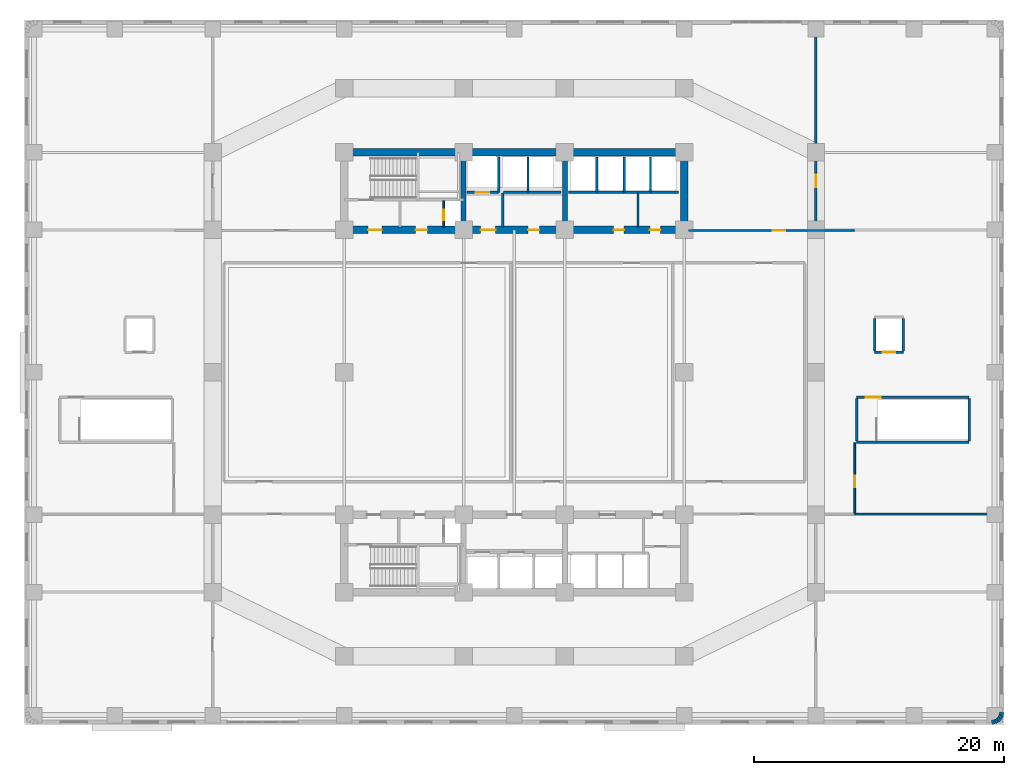
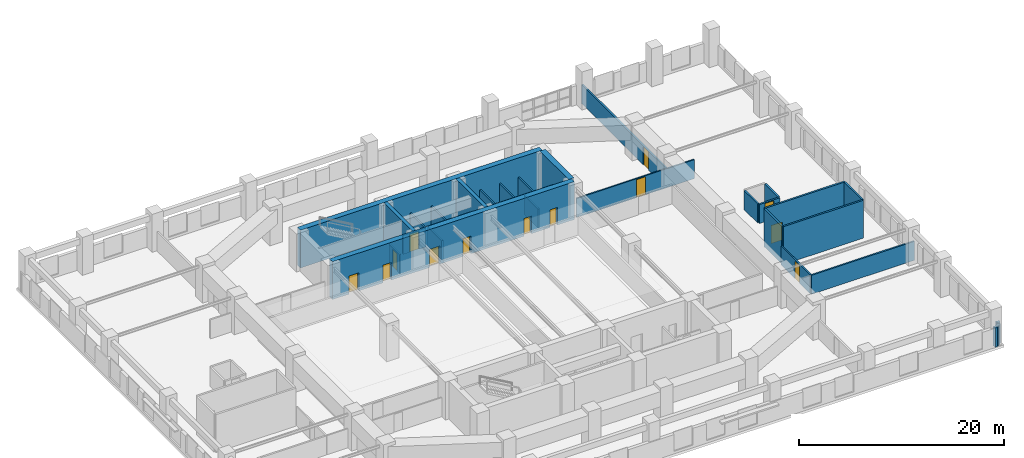
# One storey, part 9 of 13: 32 walls, 13 doors, 13 openings.
"""IFC4 building model written with IfcOpenShell, lengths in metres."""

from ifc_helpers import new_model, si_unit, direction, frame, frame_2d, origin, place, context, subcontext, project, spatial, rectangle, extrude, material, layer, layer_set, type_object, element, fill, save


model = new_model("IFC4")

# Units and contexts
model_context = context("Model", 3, precision=1e-05, world=origin(), true_north=direction((0.0, 1.0)))
body_context = subcontext(model_context, "Body", "Model", "MODEL_VIEW")
ifc_project = project(units=[si_unit("LENGTHUNIT", "METRE"), si_unit("AREAUNIT", "SQUARE_METRE"), si_unit("VOLUMEUNIT", "CUBIC_METRE"), si_unit("PLANEANGLEUNIT", "RADIAN"), si_unit("MASSUNIT", "GRAM", prefix="KILO")], contexts=[model_context])

# Site, building, storey
site_placement = place(None, origin())
site = spatial("IfcSite", under=ifc_project, at=site_placement, CompositionType="ELEMENT")
building_placement = place(site_placement, origin())
building = spatial("IfcBuilding", under=site, at=building_placement, Name="Svetorya Sky Lyceum", CompositionType="ELEMENT")
storey_placement = place(building_placement, frame((0.0, 0.0, 20.10009765625)))
storey = spatial("IfcBuildingStorey", under=building, at=storey_placement, Name="L04", CompositionType="ELEMENT", Elevation=20.10009765625)

# Walls
ifc_material_1 = material(Name="Concrete C40/50", Category="concrete")
ifc_layer_1 = layer(ifc_material_1, 0.39990234375)
ifc_layer_set_1 = layer_set([ifc_layer_1], Name="Concrete C40/50")
wall_type_1 = type_object("IfcWallType", Name="WL-CORE-400", PredefinedType="SHEAR", material=ifc_layer_set_1)
for number, where, z_axis, x_axis, name in (
    (1, (35.14990234375, 39.89990234375, 0.0), (0.0, 0.0, 1.0), (0.0, 1.0, 0.0), "L04 NC Internal Shear Web WEB1"),
    (2, (43.25, 39.89990234375, 0.0), (0.0, 0.0, 1.0), (0.0, 1.0, 0.0), "L04 NC Internal Shear Web WEB2"),
):
    element("IfcWall", number, at=place(storey_placement, frame(where, z_axis=z_axis, x_axis=x_axis)), inside=storey, type_object=wall_type_1, Name=name, PredefinedType="SHEAR", context=body_context, shape_type="SweptSolid", body=[
        extrude(rectangle(XDim=5.60009765625, YDim=0.39990234375, at=frame_2d((2.800048828125, 0.0))), origin(), (0.0, 0.0, 1.0), 4.5),
    ])
ifc_material_2 = material(Name="Concrete C60/75", Category="concrete")
ifc_layer_2 = layer(ifc_material_2, 0.60009765625)
ifc_layer_set_2 = layer_set([ifc_layer_2], Name="Concrete C60/75")
wall_type_2 = type_object("IfcWallType", Name="WL-CORE-600", PredefinedType="SHEAR", material=ifc_layer_set_2)
wall_1_placement = place(storey_placement, frame((25.60009765625, 45.800048828125, 0.0), z_axis=(0.0, 0.0, 1.0), x_axis=(1.0, 0.0, 0.0)))
element("IfcWall", 3, at=wall_1_placement, inside=storey, type_object=wall_type_2, Name="L04 NC Outer Core Shear Wall", PredefinedType="SHEAR", context=body_context, shape_type="SweptSolid", body=[
    extrude(rectangle(XDim=27.199951171875, YDim=0.60009765625, at=frame_2d((13.60009765625, 0.0))), origin(), (0.0, 0.0, 1.0), 4.5),
])
wall_2_placement = place(storey_placement, frame((52.800048828125, 39.89990234375, 0.0), z_axis=(0.0, 0.0, 1.0), x_axis=(0.0, 1.0, 0.0)))
element("IfcWall", 4, at=wall_2_placement, inside=storey, type_object=wall_type_2, Name="L04 NC East Core Shear Wall", PredefinedType="SHEAR", context=body_context, shape_type="SweptSolid", body=[
    extrude(rectangle(XDim=5.60009765625, YDim=0.60009765625, at=frame_2d((2.800048828125, 0.0))), origin(), (0.0, 0.0, 1.0), 4.5),
])

# Wall, openings, doors
wall_3_placement = place(storey_placement, frame((52.800048828125, 39.60009765625, 0.0), z_axis=(0.0, 0.0, 1.0), x_axis=(-1.0, 0.0, 0.0)))
wall_3 = element("IfcWall", 5, at=wall_3_placement, inside=storey, type_object=wall_type_2, Name="L04 NC Inner Core Shear Wall", PredefinedType="SHEAR", context=body_context, shape_type="SweptSolid", body=[
    extrude(rectangle(XDim=27.199951171875, YDim=0.60009765625, at=frame_2d((13.60009765625, 0.0))), origin(), (0.0, 0.0, 1.0), 4.5),
])
opening_1_placement = place(wall_3_placement, frame((24.199951171875, 0.0, 0.0)))
opening_1 = element("IfcOpeningElement", 6, at=opening_1_placement, cuts=wall_3, Name="Opening D-ST1", PredefinedType="OPENING", context=body_context, shape_type="SweptSolid", body=[
    extrude(rectangle(XDim=1.10009765625, YDim=2.14990234375, at=frame_2d((0.550048828125, 1.074951171875))), frame((0.0, 0.31005859375, 0.0), z_axis=(0.0, -1.0, 0.0), x_axis=(1.0, 0.0, 0.0)), (0.0, 0.0, 1.0), 0.6201171875),
])
opening_2_placement = place(wall_3_placement, frame((20.550048828125, 0.0, 0.0)))
opening_2 = element("IfcOpeningElement", 7, at=opening_2_placement, cuts=wall_3, Name="Opening D-CAC1", PredefinedType="OPENING", context=body_context, shape_type="SweptSolid", body=[
    extrude(rectangle(XDim=0.949951171875, YDim=2.10009765625, at=frame_2d((0.47509765625, 1.050048828125))), frame((0.0, 0.31005859375, 0.0), z_axis=(0.0, -1.0, 0.0), x_axis=(1.0, 0.0, 0.0)), (0.0, 0.0, 1.0), 0.6201171875),
])
opening_3_placement = place(wall_3_placement, frame((15.10009765625, 0.0, 0.0)))
opening_3 = element("IfcOpeningElement", 8, at=opening_3_placement, cuts=wall_3, Name="Opening D-FL1", PredefinedType="OPENING", context=body_context, shape_type="SweptSolid", body=[
    extrude(rectangle(XDim=1.199951171875, YDim=2.14990234375, at=frame_2d((0.60009765625, 1.074951171875))), frame((0.0, 0.31005859375, 0.0), z_axis=(0.0, -1.0, 0.0), x_axis=(1.0, 0.0, 0.0)), (0.0, 0.0, 1.0), 0.6201171875),
])
opening_4_placement = place(wall_3_placement, frame((11.60009765625, 0.0, 0.0)))
opening_4 = element("IfcOpeningElement", 9, at=opening_4_placement, cuts=wall_3, Name="Opening D-RM1", PredefinedType="OPENING", context=body_context, shape_type="SweptSolid", body=[
    extrude(rectangle(XDim=0.89990234375, YDim=2.10009765625, at=frame_2d((0.449951171875, 1.050048828125))), frame((0.0, 0.31005859375, 0.0), z_axis=(0.0, -1.0, 0.0), x_axis=(1.0, 0.0, 0.0)), (0.0, 0.0, 1.0), 0.6201171875),
])
opening_5_placement = place(wall_3_placement, frame((4.800048828125, 0.0, 0.0)))
opening_5 = element("IfcOpeningElement", 10, at=opening_5_placement, cuts=wall_3, Name="Opening D-CWC1", PredefinedType="OPENING", context=body_context, shape_type="SweptSolid", body=[
    extrude(rectangle(XDim=0.85009765625, YDim=2.10009765625, at=frame_2d((0.425048828125, 1.050048828125))), frame((0.0, 0.31005859375, 0.0), z_axis=(0.0, -1.0, 0.0), x_axis=(1.0, 0.0, 0.0)), (0.0, 0.0, 1.0), 0.6201171875),
])
opening_6_placement = place(wall_3_placement, frame((1.89990234375, 0.0, 0.0)))
opening_6 = element("IfcOpeningElement", 11, at=opening_6_placement, cuts=wall_3, Name="Opening D-CWC1", PredefinedType="OPENING", context=body_context, shape_type="SweptSolid", body=[
    extrude(rectangle(XDim=0.85009765625, YDim=2.10009765625, at=frame_2d((0.425048828125, 1.050048828125))), frame((0.0, 0.31005859375, 0.0), z_axis=(0.0, -1.0, 0.0), x_axis=(1.0, 0.0, 0.0)), (0.0, 0.0, 1.0), 0.6201171875),
])
ifc_material_3 = material(Name="Fire-rated galvanized steel core accessible WC door", Category="steel")
door_type_1 = type_object("IfcDoorType", Name="DR-CACC-950", OperationType="SINGLE_SWING_LEFT", PredefinedType="DOOR", material=ifc_material_3)
door_1_placement = place(opening_2_placement, origin())
door_1 = element("IfcDoor", 12, at=door_1_placement, inside=storey, type_object=door_type_1, Name="L04 North Core Accessible WC Door", OperationType="SINGLE_SWING_RIGHT", OverallHeight=2.10009765625, OverallWidth=0.949951171875, PredefinedType="DOOR", context=body_context, shape_type="SweptSolid", body=[
    extrude(rectangle(XDim=0.949951171875, YDim=2.10009765625, at=frame_2d((0.47509765625, 1.050048828125))), frame((0.0, 0.02490234375, 0.0), z_axis=(0.0, -1.0, 0.0), x_axis=(1.0, 0.0, 0.0)), (0.0, 0.0, 1.0), 0.050048828125),
])
fill(opening_2, door_1)
ifc_material_4 = material(Name="Fire-rated galvanized steel core service closet door", Category="steel")
door_type_2 = type_object("IfcDoorType", Name="DR-CWET-850", OperationType="SINGLE_SWING_LEFT", PredefinedType="DOOR", material=ifc_material_4)
door_2_placement = place(opening_5_placement, origin())
door_2 = element("IfcDoor", 13, at=door_2_placement, inside=storey, type_object=door_type_2, Name="L04 North Pantry Door", OperationType="SINGLE_SWING_LEFT", OverallHeight=2.10009765625, OverallWidth=0.85009765625, PredefinedType="DOOR", context=body_context, shape_type="SweptSolid", body=[
    extrude(rectangle(XDim=0.85009765625, YDim=2.10009765625, at=frame_2d((0.425048828125, 1.050048828125))), frame((0.0, 0.02490234375, 0.0), z_axis=(0.0, -1.0, 0.0), x_axis=(1.0, 0.0, 0.0)), (0.0, 0.0, 1.0), 0.050048828125),
])
fill(opening_5, door_2)
door_3_placement = place(opening_6_placement, origin())
door_3 = element("IfcDoor", 14, at=door_3_placement, inside=storey, type_object=door_type_2, Name="L04 North Laundry Door", OperationType="SINGLE_SWING_RIGHT", OverallHeight=2.10009765625, OverallWidth=0.85009765625, PredefinedType="DOOR", context=body_context, shape_type="SweptSolid", body=[
    extrude(rectangle(XDim=0.85009765625, YDim=2.10009765625, at=frame_2d((0.425048828125, 1.050048828125))), frame((0.0, 0.02490234375, 0.0), z_axis=(0.0, -1.0, 0.0), x_axis=(1.0, 0.0, 0.0)), (0.0, 0.0, 1.0), 0.050048828125),
])
fill(opening_6, door_3)
ifc_material_5 = material(Name="Powder-coated insulated galvanized stair fire door")
door_type_3 = type_object("IfcDoorType", Name="DR-FIRE-1100", OperationType="SINGLE_SWING_LEFT", PredefinedType="DOOR", material=ifc_material_5)
door_4_placement = place(opening_1_placement, origin())
door_4 = element("IfcDoor", 15, at=door_4_placement, inside=storey, type_object=door_type_3, Name="L04 North Stair Airlock Door", OperationType="SINGLE_SWING_LEFT", OverallHeight=2.14990234375, OverallWidth=1.10009765625, PredefinedType="DOOR", context=body_context, shape_type="SweptSolid", body=[
    extrude(rectangle(XDim=1.10009765625, YDim=2.14990234375, at=frame_2d((0.550048828125, 1.074951171875))), frame((0.0, 0.02490234375, 0.0), z_axis=(0.0, -1.0, 0.0), x_axis=(1.0, 0.0, 0.0)), (0.0, 0.0, 1.0), 0.050048828125),
])
fill(opening_1, door_4)
ifc_material_6 = material(Name="Powder-coated insulated galvanized fire door")
door_type_4 = type_object("IfcDoorType", Name="DR-FIRE-1200", OperationType="SINGLE_SWING_LEFT", PredefinedType="DOOR", material=ifc_material_6)
door_5_placement = place(opening_3_placement, origin())
door_5 = element("IfcDoor", 16, at=door_5_placement, inside=storey, type_object=door_type_4, Name="L04 North Firefighting Lift Lobby Door", OperationType="SINGLE_SWING_RIGHT", OverallHeight=2.14990234375, OverallWidth=1.199951171875, PredefinedType="DOOR", context=body_context, shape_type="SweptSolid", body=[
    extrude(rectangle(XDim=1.199951171875, YDim=2.14990234375, at=frame_2d((0.60009765625, 1.074951171875))), frame((0.0, 0.02490234375, 0.0), z_axis=(0.0, -1.0, 0.0), x_axis=(1.0, 0.0, 0.0)), (0.0, 0.0, 1.0), 0.050048828125),
])
fill(opening_3, door_5)
ifc_material_7 = material(Name="Lacquered birch veneer internal door")
door_type_5 = type_object("IfcDoorType", Name="DR-INT-900", OperationType="SINGLE_SWING_LEFT", PredefinedType="DOOR", material=ifc_material_7)
door_6_placement = place(opening_4_placement, origin())
door_6 = element("IfcDoor", 17, at=door_6_placement, inside=storey, type_object=door_type_5, Name="L04 North Laundry Door", OperationType="SINGLE_SWING_RIGHT", OverallHeight=2.10009765625, OverallWidth=0.89990234375, PredefinedType="DOOR", context=body_context, shape_type="SweptSolid", body=[
    extrude(rectangle(XDim=0.89990234375, YDim=2.10009765625, at=frame_2d((0.449951171875, 1.050048828125))), frame((0.0, 0.02490234375, 0.0), z_axis=(0.0, -1.0, 0.0), x_axis=(1.0, 0.0, 0.0)), (0.0, 0.0, 1.0), 0.050048828125),
])
fill(opening_4, door_6)

# Walls
ifc_material_8 = material(Name="Putilovo limestone rainscreen on autoclaved cellular masonry", Category="masonry")
ifc_layer_3 = layer(ifc_material_8, 0.360107421875)
ifc_layer_set_3 = layer_set([ifc_layer_3], Name="Putilovo limestone rainscreen on autoclaved cellular masonry")
wall_type_3 = type_object("IfcWallType", Name="WL-EXT-360", PredefinedType="SOLIDWALL", material=ifc_layer_set_3)
wall_4_placement = place(storey_placement, frame((77.419921875, 0.179931640625, 0.0), z_axis=(0.0, 0.0, 1.0), x_axis=(0.987604361038, 0.156963773077, 0.0)))
element("IfcWall", 18, at=wall_4_placement, inside=storey, type_object=wall_type_3, Name="L04 Limestone Exterior Wall 7M", PredefinedType="SOLIDWALL", context=body_context, shape_type="SweptSolid", body=[
    extrude(rectangle(XDim=0.25048828125, YDim=0.360107421875, at=frame_2d((0.125244140625, 0.0))), origin(), (0.0, 0.0, 1.0), 2.2998046875),
])
for number, where, z_axis, x_axis, name in (
    (19, (77.667236328125, 0.21923828125, 0.0), (0.0, 0.0, 1.0), (0.891084182005, 0.453838055457, 0.0), "L04 Limestone Exterior Wall 8M"),
    (20, (77.89013671875, 0.332763671875, 0.0), (0.0, 0.0, 1.0), (0.707106781187, 0.707106781187, 0.0), "L04 Limestone Exterior Wall 9M"),
):
    element("IfcWall", number, at=place(storey_placement, frame(where, z_axis=z_axis, x_axis=x_axis)), inside=storey, type_object=wall_type_3, Name=name, PredefinedType="SOLIDWALL", context=body_context, shape_type="SweptSolid", body=[
        extrude(rectangle(XDim=0.250244140625, YDim=0.360107421875, at=frame_2d((0.125, 0.0))), origin(), (0.0, 0.0, 1.0), 2.2998046875),
    ])
wall_5_placement = place(storey_placement, frame((78.067138671875, 0.509765625, 0.0), z_axis=(0.0, 0.0, 1.0), x_axis=(0.454217786225, 0.89089067942, 0.0)))
element("IfcWall", 21, at=wall_5_placement, inside=storey, type_object=wall_type_3, Name="L04 Limestone Exterior Wall 10M", PredefinedType="SOLIDWALL", context=body_context, shape_type="SweptSolid", body=[
    extrude(rectangle(XDim=0.25048828125, YDim=0.360107421875, at=frame_2d((0.125244140625, 0.0))), origin(), (0.0, 0.0, 1.0), 2.2998046875),
])
wall_6_placement = place(storey_placement, frame((78.180908203125, 0.73291015625, 0.0), z_axis=(0.0, 0.0, 1.0), x_axis=(0.156163049852, 0.987731290312, 0.0)))
element("IfcWall", 22, at=wall_6_placement, inside=storey, type_object=wall_type_3, Name="L04 Limestone Exterior Wall 11M", PredefinedType="SOLIDWALL", context=body_context, shape_type="SweptSolid", body=[
    extrude(rectangle(XDim=0.250244140625, YDim=0.360107421875, at=frame_2d((0.125, 0.0))), origin(), (0.0, 0.0, 1.0), 2.2998046875),
])

# Wall, opening, door
ifc_material_9 = material(Name="Autoclaved cellular masonry blockwork with acoustic render", Category="masonry")
ifc_layer_4 = layer(ifc_material_9, 0.14990234375)
ifc_layer_set_4 = layer_set([ifc_layer_4], Name="Autoclaved cellular masonry blockwork with acoustic render")
wall_type_4 = type_object("IfcWallType", Name="WL-PART-150", PredefinedType="PARTITIONING", material=ifc_layer_set_4)
wall_7_placement = place(storey_placement, frame((33.550048828125, 39.820068359375, 0.0), z_axis=(0.0, 0.0, 1.0), x_axis=(0.0, 1.0, 0.0)))
wall_7 = element("IfcWall", 23, at=wall_7_placement, inside=storey, type_object=wall_type_4, Name="L04 Interior Partition NC-RSRW", PredefinedType="PARTITIONING", context=body_context, shape_type="SweptSolid", body=[
    extrude(rectangle(XDim=2.1298828125, YDim=0.14990234375, at=frame_2d((1.06494140625, 0.0))), origin(), (0.0, 0.0, 1.0), 2.260009765625),
])
opening_7_placement = place(wall_7_placement, frame((0.550048828125, 0.0, 0.0)))
opening_7 = element("IfcOpeningElement", 24, at=opening_7_placement, cuts=wall_7, Name="Opening D-SH1", PredefinedType="OPENING", context=body_context, shape_type="SweptSolid", body=[
    extrude(rectangle(XDim=0.85009765625, YDim=2.050048828125, at=frame_2d((0.425048828125, 1.02490234375))), frame((0.0, 0.0849609375, 0.0), z_axis=(0.0, -1.0, 0.0), x_axis=(1.0, 0.0, 0.0)), (0.0, 0.0, 1.0), 0.169921875),
])
ifc_material_10 = material(Name="Insulated galvanized riser inspection fire door")
door_type_6 = type_object("IfcDoorType", Name="DR-SHFT-850", OperationType="SINGLE_SWING_LEFT", PredefinedType="TRAPDOOR", material=ifc_material_10)
door_7_placement = place(opening_7_placement, origin())
door_7 = element("IfcDoor", 25, at=door_7_placement, inside=storey, type_object=door_type_6, Name="L04 North Riser Access Door", OperationType="SINGLE_SWING_LEFT", OverallHeight=2.050048828125, OverallWidth=0.85009765625, PredefinedType="TRAPDOOR", context=body_context, shape_type="SweptSolid", body=[
    extrude(rectangle(XDim=0.85009765625, YDim=2.050048828125, at=frame_2d((0.425048828125, 1.02490234375))), frame((0.0, 0.02490234375, 0.0), z_axis=(0.0, -1.0, 0.0), x_axis=(1.0, 0.0, 0.0)), (0.0, 0.0, 1.0), 0.050048828125),
])
fill(opening_7, door_7)

wall_8_placement = place(storey_placement, frame((66.449951171875, 16.89990234375, 0.0), z_axis=(0.0, 0.0, 1.0), x_axis=(0.0, 1.0, 0.0)))
wall_8 = element("IfcWall", 26, at=wall_8_placement, inside=storey, type_object=wall_type_4, Name="L04 Interior Partition STFE-W", PredefinedType="PARTITIONING", context=body_context, shape_type="SweptSolid", body=[
    extrude(rectangle(XDim=5.650146484375, YDim=0.14990234375, at=frame_2d((2.8251953125, 0.0))), origin(), (0.0, 0.0, 1.0), 2.260009765625),
])
opening_8_placement = place(wall_8_placement, frame((2.10009765625, 0.0, 0.0)))
opening_8 = element("IfcOpeningElement", 27, at=opening_8_placement, cuts=wall_8, Name="Opening D-RM1", PredefinedType="OPENING", context=body_context, shape_type="SweptSolid", body=[
    extrude(rectangle(XDim=0.89990234375, YDim=2.10009765625, at=frame_2d((0.449951171875, 1.050048828125))), frame((0.0, 0.0849609375, 0.0), z_axis=(0.0, -1.0, 0.0), x_axis=(1.0, 0.0, 0.0)), (0.0, 0.0, 1.0), 0.169921875),
])
door_8_placement = place(opening_8_placement, origin())
door_8 = element("IfcDoor", 28, at=door_8_placement, inside=storey, type_object=door_type_5, Name="L04 Staff Workroom Door", OperationType="SINGLE_SWING_RIGHT", OverallHeight=2.10009765625, OverallWidth=0.89990234375, PredefinedType="DOOR", context=body_context, shape_type="SweptSolid", body=[
    extrude(rectangle(XDim=0.89990234375, YDim=2.10009765625, at=frame_2d((0.449951171875, 1.050048828125))), frame((0.0, 0.02490234375, 0.0), z_axis=(0.0, -1.0, 0.0), x_axis=(1.0, 0.0, 0.0)), (0.0, 0.0, 1.0), 0.050048828125),
])
fill(opening_8, door_8)

wall_9_placement = place(storey_placement, frame((66.39990234375, 39.550048828125, 0.0), z_axis=(0.0, 0.0, 1.0), x_axis=(-1.0, 0.0, 0.0)))
wall_9 = element("IfcWall", 29, at=wall_9_placement, inside=storey, type_object=wall_type_4, Name="L04 Interior Partition NE-CORR", PredefinedType="PARTITIONING", context=body_context, shape_type="SweptSolid", body=[
    extrude(rectangle(XDim=13.25, YDim=0.14990234375, at=frame_2d((6.625, 0.0))), origin(), (0.0, 0.0, 1.0), 2.260009765625),
])
opening_9_placement = place(wall_9_placement, frame((5.5, 0.0, 0.0)))
opening_9 = element("IfcOpeningElement", 30, at=opening_9_placement, cuts=wall_9, Name="Opening D-RM2", PredefinedType="OPENING", context=body_context, shape_type="SweptSolid", body=[
    extrude(rectangle(XDim=1.0, YDim=2.14990234375, at=frame_2d((0.5, 1.074951171875))), frame((0.0, 0.0849609375, 0.0), z_axis=(0.0, -1.0, 0.0), x_axis=(1.0, 0.0, 0.0)), (0.0, 0.0, 1.0), 0.169921875),
])
ifc_material_11 = material(Name="Solid-core oak acoustic room door")
door_type_7 = type_object("IfcDoorType", Name="DR-INT-1000", OperationType="SINGLE_SWING_LEFT", PredefinedType="DOOR", material=ifc_material_11)
door_9_placement = place(opening_9_placement, origin())
door_9 = element("IfcDoor", 31, at=door_9_placement, inside=storey, type_object=door_type_7, Name="L04 Classroom NE1 Door", OperationType="SINGLE_SWING_LEFT", OverallHeight=2.14990234375, OverallWidth=1.0, PredefinedType="DOOR", context=body_context, shape_type="SweptSolid", body=[
    extrude(rectangle(XDim=1.0, YDim=2.14990234375, at=frame_2d((0.5, 1.074951171875))), frame((0.0, 0.02490234375, 0.0), z_axis=(0.0, -1.0, 0.0), x_axis=(1.0, 0.0, 0.0)), (0.0, 0.0, 1.0), 0.050048828125),
])
fill(opening_9, door_9)

# Walls
ifc_material_12 = material(Name="Autoclaved cellular masonry blockwork with fire render", Category="masonry")
ifc_layer_5 = layer(ifc_material_12, 0.175048828125)
ifc_layer_set_5 = layer_set([ifc_layer_5], Name="Autoclaved cellular masonry blockwork with fire render")
wall_type_5 = type_object("IfcWallType", Name="WL-PART-175", PredefinedType="PARTITIONING", material=ifc_layer_set_5)
wall_10_placement = place(storey_placement, frame((37.949951171875, 42.60009765625, 0.0), z_axis=(0.0, 0.0, 1.0), x_axis=(0.0, 1.0, 0.0)))
element("IfcWall", 32, at=wall_10_placement, inside=storey, type_object=wall_type_5, Name="L04 Interior Partition NC-FL1SIDE", PredefinedType="PARTITIONING", context=body_context, shape_type="SweptSolid", body=[
    extrude(rectangle(XDim=2.849853515625, YDim=0.175048828125, at=frame_2d((1.4248046875, 0.0))), origin(), (0.0, 0.0, 1.0), 2.260009765625),
])
for number, where, z_axis, x_axis, name in (
    (33, (40.300048828125, 42.64990234375, 0.0), (0.0, 0.0, 1.0), (0.0, 1.0, 0.0), "L04 Interior Partition NC-PM-D1"),
    (34, (45.800048828125, 42.64990234375, 0.0), (0.0, 0.0, 1.0), (0.0, 1.0, 0.0), "L04 Interior Partition NC-PM3-D"),
    (35, (48.0, 42.64990234375, 0.0), (0.0, 0.0, 1.0), (0.0, 1.0, 0.0), "L04 Interior Partition NC-PH-D1"),
    (36, (50.10009765625, 42.64990234375, 0.0), (0.0, 0.0, 1.0), (0.0, 1.0, 0.0), "L04 Interior Partition NC-PH-D2"),
):
    element("IfcWall", number, at=place(storey_placement, frame(where, z_axis=z_axis, x_axis=x_axis)), inside=storey, type_object=wall_type_5, Name=name, PredefinedType="PARTITIONING", context=body_context, shape_type="SweptSolid", body=[
        extrude(rectangle(XDim=2.800048828125, YDim=0.175048828125, at=frame_2d((1.39990234375, 0.0))), origin(), (0.0, 0.0, 1.0), 2.260009765625),
    ])
wall_11_placement = place(storey_placement, frame((49.10009765625, 39.820068359375, 0.0), z_axis=(0.0, 0.0, 1.0), x_axis=(0.0, 1.0, 0.0)))
element("IfcWall", 37, at=wall_11_placement, inside=storey, type_object=wall_type_5, Name="L04 Interior Partition NC-EDH", PredefinedType="PARTITIONING", context=body_context, shape_type="SweptSolid", body=[
    extrude(rectangle(XDim=2.72998046875, YDim=0.175048828125, at=frame_2d((1.364990234375, 0.0))), origin(), (0.0, 0.0, 1.0), 2.260009765625),
])
wall_12_placement = place(storey_placement, frame((66.449951171875, 16.85009765625, 0.0), z_axis=(0.0, 0.0, 1.0), x_axis=(1.0, 0.0, 0.0)))
element("IfcWall", 38, at=wall_12_placement, inside=storey, type_object=wall_type_5, Name="L04 Interior Partition CLSE2-N", PredefinedType="PARTITIONING", context=body_context, shape_type="SweptSolid", body=[
    extrude(rectangle(XDim=11.550048828125, YDim=0.175048828125, at=frame_2d((5.77490234375, 0.0))), origin(), (0.0, 0.0, 1.0), 2.260009765625),
])

# Wall, opening, door
ifc_material_13 = material(Name="Autoclaved cellular masonry blockwork with gypsum plaster", Category="masonry")
ifc_layer_6 = layer(ifc_material_13, 0.199951171875)
ifc_layer_set_6 = layer_set([ifc_layer_6], Name="Autoclaved cellular masonry blockwork with gypsum plaster")
wall_type_6 = type_object("IfcWallType", Name="WL-PART-200", PredefinedType="PARTITIONING", material=ifc_layer_set_6)
wall_13_placement = place(storey_placement, frame((37.949951171875, 42.60009765625, 0.0), z_axis=(0.0, 0.0, 1.0), x_axis=(-1.0, 0.0, 0.0)))
wall_13 = element("IfcWall", 39, at=wall_13_placement, inside=storey, type_object=wall_type_6, Name="L04 Interior Partition NC-FL1W", PredefinedType="PARTITIONING", context=body_context, shape_type="SweptSolid", body=[
    extrude(rectangle(XDim=2.550048828125, YDim=0.199951171875, at=frame_2d((1.27490234375, 0.0))), origin(), (0.0, 0.0, 1.0), 2.260009765625),
])
opening_10_placement = place(wall_13_placement, frame((0.75, 0.0, 0.0)))
opening_10 = element("IfcOpeningElement", 40, at=opening_10_placement, cuts=wall_13, Name="Opening LD-FL", PredefinedType="OPENING", context=body_context, shape_type="SweptSolid", body=[
    extrude(rectangle(XDim=1.10009765625, YDim=2.14990234375, at=frame_2d((0.550048828125, 1.074951171875))), frame((0.0, 0.10986328125, 0.0), z_axis=(0.0, -1.0, 0.0), x_axis=(1.0, 0.0, 0.0)), (0.0, 0.0, 1.0), 0.219970703125),
])
ifc_material_14 = material(Name="Fire-rated stainless AISI 304 firefighting lift landing door")
door_type_8 = type_object("IfcDoorType", Name="DR-LIFT-1100", OperationType="SLIDING_TO_LEFT", PredefinedType="DOOR", material=ifc_material_14)
door_10_placement = place(opening_10_placement, origin())
door_10 = element("IfcDoor", 41, at=door_10_placement, inside=storey, type_object=door_type_8, Name="L04 Firefighting Lift FL1 Landing Door", OperationType="SLIDING_TO_LEFT", OverallHeight=2.14990234375, OverallWidth=1.10009765625, PredefinedType="DOOR", context=body_context, shape_type="SweptSolid", body=[
    extrude(rectangle(XDim=1.10009765625, YDim=2.14990234375, at=frame_2d((0.550048828125, 1.074951171875))), frame((0.0, 0.02490234375, 0.0), z_axis=(0.0, -1.0, 0.0), x_axis=(1.0, 0.0, 0.0)), (0.0, 0.0, 1.0), 0.050048828125),
])
fill(opening_10, door_10)

# Walls
wall_14_placement = place(storey_placement, frame((38.280029296875, 39.820068359375, 0.0), z_axis=(0.0, 0.0, 1.0), x_axis=(0.0, 1.0, 0.0)))
element("IfcWall", 42, at=wall_14_placement, inside=storey, type_object=wall_type_6, Name="L04 Interior Partition NC-FFLDIV", PredefinedType="PARTITIONING", context=body_context, shape_type="SweptSolid", body=[
    extrude(rectangle(XDim=2.72998046875, YDim=0.199951171875, at=frame_2d((1.364990234375, 0.0))), origin(), (0.0, 0.0, 1.0), 2.260009765625),
])
wall_15_placement = place(storey_placement, frame((42.949951171875, 42.60009765625, 0.0), z_axis=(0.0, 0.0, 1.0), x_axis=(-1.0, 0.0, 0.0)))
element("IfcWall", 43, at=wall_15_placement, inside=storey, type_object=wall_type_6, Name="L04 Interior Partition NC-PM12W", PredefinedType="PARTITIONING", context=body_context, shape_type="SweptSolid", body=[
    extrude(rectangle(XDim=4.599853515625, YDim=0.199951171875, at=frame_2d((2.2998046875, 0.0))), origin(), (0.0, 0.0, 1.0), 2.260009765625),
])
wall_16_placement = place(storey_placement, frame((52.35009765625, 42.60009765625, 0.0), z_axis=(0.0, 0.0, 1.0), x_axis=(-1.0, 0.0, 0.0)))
element("IfcWall", 44, at=wall_16_placement, inside=storey, type_object=wall_type_6, Name="L04 Interior Partition NC-PHEW", PredefinedType="PARTITIONING", context=body_context, shape_type="SweptSolid", body=[
    extrude(rectangle(XDim=8.800048828125, YDim=0.199951171875, at=frame_2d((4.39990234375, 0.0))), origin(), (0.0, 0.0, 1.0), 2.260009765625),
])
for number, where, z_axis, x_axis, name in (
    (45, (68.050048828125, 29.89990234375, 0.0), (0.0, 0.0, 1.0), (0.0, 1.0, 0.0), "L04 Interior Partition SHL-W-SCHL2"),
    (46, (70.35009765625, 29.89990234375, 0.0), (0.0, 0.0, 1.0), (0.0, 1.0, 0.0), "L04 Interior Partition SHL-E-SCHL2"),
):
    element("IfcWall", number, at=place(storey_placement, frame(where, z_axis=z_axis, x_axis=x_axis)), inside=storey, type_object=wall_type_6, Name=name, PredefinedType="PARTITIONING", context=body_context, shape_type="SweptSolid", body=[
        extrude(rectangle(XDim=2.60009765625, YDim=0.199951171875, at=frame_2d((1.300048828125, 0.0))), origin(), (0.0, 0.0, 1.0), 2.260009765625),
    ])

# Wall, opening, door
wall_17_placement = place(storey_placement, frame((68.050048828125, 29.800048828125, 0.0), z_axis=(0.0, 0.0, 1.0), x_axis=(1.0, 0.0, 0.0)))
wall_17 = element("IfcWall", 47, at=wall_17_placement, inside=storey, type_object=wall_type_6, Name="L04 Interior Partition SHL-S-SCHL2", PredefinedType="PARTITIONING", context=body_context, shape_type="SweptSolid", body=[
    extrude(rectangle(XDim=2.300048828125, YDim=0.199951171875, at=frame_2d((1.14990234375, 0.0))), origin(), (0.0, 0.0, 1.0), 2.260009765625),
])
opening_11_placement = place(wall_17_placement, frame((0.64990234375, 0.0, 0.0)))
opening_11 = element("IfcOpeningElement", 48, at=opening_11_placement, cuts=wall_17, Name="Opening LD-P1", PredefinedType="OPENING", context=body_context, shape_type="SweptSolid", body=[
    extrude(rectangle(XDim=1.0, YDim=2.14990234375, at=frame_2d((0.5, 1.074951171875))), frame((0.0, 0.10986328125, 0.0), z_axis=(0.0, -1.0, 0.0), x_axis=(1.0, 0.0, 0.0)), (0.0, 0.0, 1.0), 0.219970703125),
])
ifc_material_15 = material(Name="Champagne-anodized stainless passenger lift landing door")
door_type_9 = type_object("IfcDoorType", Name="DR-LIFT-1000", OperationType="SLIDING_TO_LEFT", PredefinedType="DOOR", material=ifc_material_15)
door_11_placement = place(opening_11_placement, origin())
door_11 = element("IfcDoor", 49, at=door_11_placement, inside=storey, type_object=door_type_9, Name="L04 Lyceum Lift SCHL2 Landing Door", OperationType="SLIDING_TO_LEFT", OverallHeight=2.14990234375, OverallWidth=1.0, PredefinedType="DOOR", context=body_context, shape_type="SweptSolid", body=[
    extrude(rectangle(XDim=1.0, YDim=2.14990234375, at=frame_2d((0.5, 1.074951171875))), frame((0.0, 0.02490234375, 0.0), z_axis=(0.0, -1.0, 0.0), x_axis=(1.0, 0.0, 0.0)), (0.0, 0.0, 1.0), 0.050048828125),
])
fill(opening_11, door_11)

wall_18_placement = place(storey_placement, frame((63.35009765625, 39.60009765625, 0.0), z_axis=(0.0, 0.0, 1.0), x_axis=(0.0, 1.0, 0.0)))
wall_18 = element("IfcWall", 50, at=wall_18_placement, inside=storey, type_object=wall_type_6, Name="L04 Interior Partition NE-DIV", PredefinedType="PARTITIONING", context=body_context, shape_type="SweptSolid", body=[
    extrude(rectangle(XDim=16.39990234375, YDim=0.199951171875, at=frame_2d((8.199951171875, 0.0))), origin(), (0.0, 0.0, 1.0), 2.260009765625),
])
opening_12_placement = place(wall_18_placement, frame((3.39990234375, 0.0, 0.0)))
opening_12 = element("IfcOpeningElement", 51, at=opening_12_placement, cuts=wall_18, Name="Opening D-RM2", PredefinedType="OPENING", context=body_context, shape_type="SweptSolid", body=[
    extrude(rectangle(XDim=1.0, YDim=2.14990234375, at=frame_2d((0.5, 1.074951171875))), frame((0.0, 0.10986328125, 0.0), z_axis=(0.0, -1.0, 0.0), x_axis=(1.0, 0.0, 0.0)), (0.0, 0.0, 1.0), 0.219970703125),
])
door_12_placement = place(opening_12_placement, origin())
door_12 = element("IfcDoor", 52, at=door_12_placement, inside=storey, type_object=door_type_7, Name="L04 Studio Lab Door", OperationType="SINGLE_SWING_RIGHT", OverallHeight=2.14990234375, OverallWidth=1.0, PredefinedType="DOOR", context=body_context, shape_type="SweptSolid", body=[
    extrude(rectangle(XDim=1.0, YDim=2.14990234375, at=frame_2d((0.5, 1.074951171875))), frame((0.0, 0.02490234375, 0.0), z_axis=(0.0, -1.0, 0.0), x_axis=(1.0, 0.0, 0.0)), (0.0, 0.0, 1.0), 0.050048828125),
])
fill(opening_12, door_12)

# Walls
ifc_material_16 = material(Name="Concrete C50/60", Category="concrete")
ifc_layer_7 = layer(ifc_material_16, 0.199951171875)
ifc_layer_set_7 = layer_set([ifc_layer_7], Name="Concrete C50/60")
wall_type_7 = type_object("IfcWallType", Name="WL-SHW-200", PredefinedType="SHEAR", material=ifc_layer_set_7)
wall_19_placement = place(storey_placement, frame((66.60009765625, 22.60009765625, 0.0), z_axis=(0.0, 0.0, 1.0), x_axis=(1.0, 0.0, 0.0)))
element("IfcWall", 53, at=wall_19_placement, inside=storey, type_object=wall_type_7, Name="L04 Structural Stair Shaft Wall SCHW-S-E", PredefinedType="SHEAR", context=body_context, shape_type="SweptSolid", body=[
    extrude(rectangle(XDim=9.0, YDim=0.199951171875, at=frame_2d((4.5, 0.0))), origin(), (0.0, 0.0, 1.0), 4.5),
])
for number, where, z_axis, x_axis, name in (
    (54, (66.60009765625, 22.699951171875, 0.0), (0.0, 0.0, 1.0), (0.0, 1.0, 0.0), "L04 Structural Stair Shaft Wall SCHW-W-E"),
    (55, (75.60009765625, 22.699951171875, 0.0), (0.0, 0.0, 1.0), (0.0, 1.0, 0.0), "L04 Structural Stair Shaft Wall SCHW-E-E"),
):
    element("IfcWall", number, at=place(storey_placement, frame(where, z_axis=z_axis, x_axis=x_axis)), inside=storey, type_object=wall_type_7, Name=name, PredefinedType="SHEAR", context=body_context, shape_type="SweptSolid", body=[
        extrude(rectangle(XDim=3.400146484375, YDim=0.199951171875, at=frame_2d((1.7001953125, 0.0))), origin(), (0.0, 0.0, 1.0), 4.5),
    ])

# Wall, opening, door
wall_20_placement = place(storey_placement, frame((75.60009765625, 26.199951171875, 0.0), z_axis=(0.0, 0.0, 1.0), x_axis=(-1.0, 0.0, 0.0)))
wall_20 = element("IfcWall", 56, at=wall_20_placement, inside=storey, type_object=wall_type_7, Name="L04 Structural Stair Shaft Wall SCHW-N-E", PredefinedType="SHEAR", context=body_context, shape_type="SweptSolid", body=[
    extrude(rectangle(XDim=9.0, YDim=0.199951171875, at=frame_2d((4.5, 0.0))), origin(), (0.0, 0.0, 1.0), 4.5),
])
opening_13_placement = place(wall_20_placement, frame((7.050048828125, 0.0, 0.0)))
opening_13 = element("IfcOpeningElement", 57, at=opening_13_placement, cuts=wall_20, Name="Opening D-FL1", PredefinedType="OPENING", context=body_context, shape_type="SweptSolid", body=[
    extrude(rectangle(XDim=1.199951171875, YDim=2.14990234375, at=frame_2d((0.60009765625, 1.074951171875))), frame((0.0, 0.10986328125, 0.0), z_axis=(0.0, -1.0, 0.0), x_axis=(1.0, 0.0, 0.0)), (0.0, 0.0, 1.0), 0.219970703125),
])
door_13_placement = place(opening_13_placement, origin())
door_13 = element("IfcDoor", 58, at=door_13_placement, inside=storey, type_object=door_type_4, Name="L04 Lyceum Stair E Fire Door", OperationType="SINGLE_SWING_RIGHT", OverallHeight=2.14990234375, OverallWidth=1.199951171875, PredefinedType="DOOR", context=body_context, shape_type="SweptSolid", body=[
    extrude(rectangle(XDim=1.199951171875, YDim=2.14990234375, at=frame_2d((0.60009765625, 1.074951171875))), frame((0.0, 0.02490234375, 0.0), z_axis=(0.0, -1.0, 0.0), x_axis=(1.0, 0.0, 0.0)), (0.0, 0.0, 1.0), 0.050048828125),
])
fill(opening_13, door_13)

save(model, "model.ifc")
